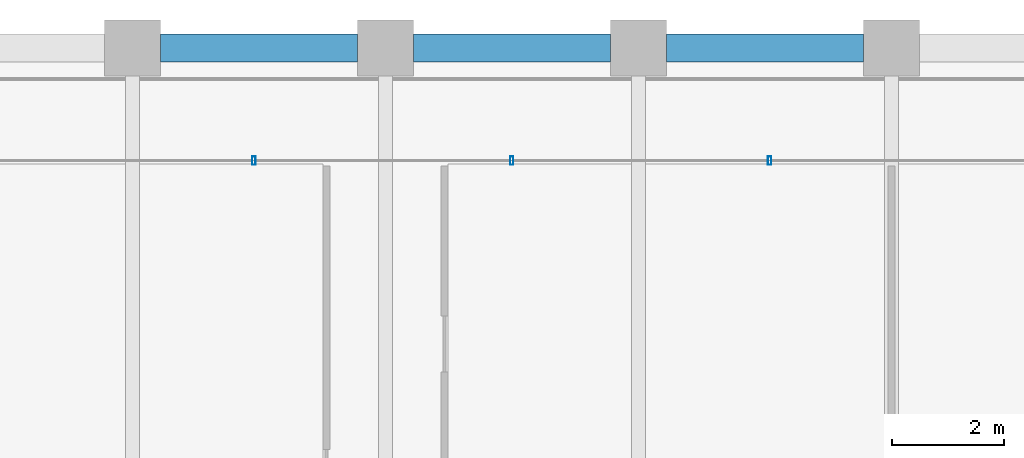
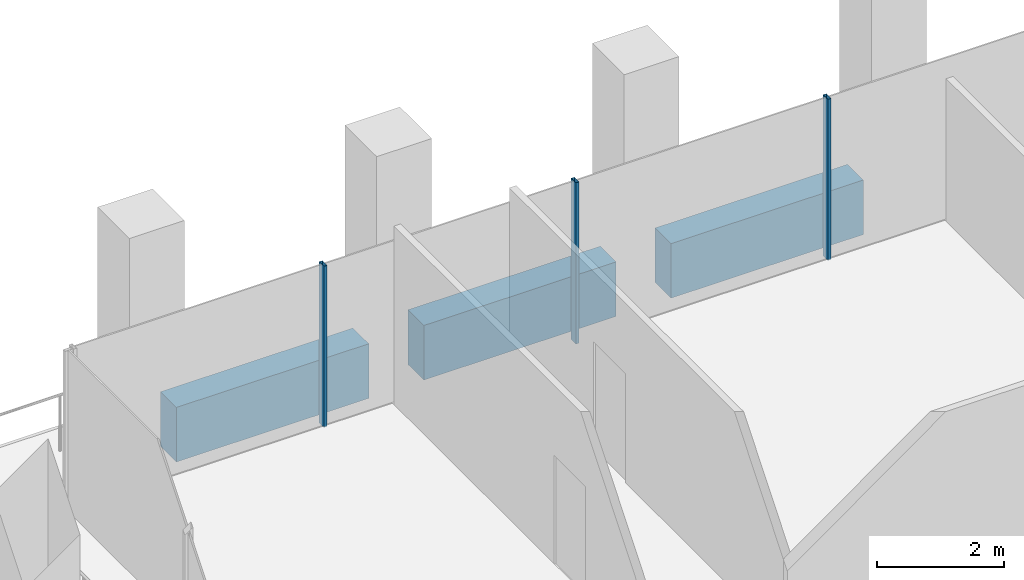
# One storey, part 23 of 46: 3 beams, 3 members, 1 element without a shape of its own.
"""IFC4 building model written with IfcOpenShell, lengths in metres."""

from ifc_helpers import new_model, si_unit, direction, frame, origin, origin_2d, place, context, subcontext, project, spatial, rectangle, hollow_rectangle, extrude, material, material_profile, profile_set, type_object, element, aggregate, save


model = new_model("IFC4")

# Units and contexts
model_context = context("Model", 3, precision=1e-05, world=origin(), true_north=direction((0.0, 1.0)))
body_context = subcontext(model_context, "Body", "Model", "MODEL_VIEW")
ifc_project = project(units=[si_unit("LENGTHUNIT", "METRE"), si_unit("AREAUNIT", "SQUARE_METRE"), si_unit("VOLUMEUNIT", "CUBIC_METRE"), si_unit("PLANEANGLEUNIT", "RADIAN"), si_unit("MASSUNIT", "GRAM", prefix="KILO")], contexts=[model_context])

# Site, building, storey
site_placement = place(None, origin())
site = spatial("IfcSite", under=ifc_project, at=site_placement, CompositionType="ELEMENT")
building_placement = place(site_placement, origin())
building = spatial("IfcBuilding", under=site, at=building_placement, Name="Altepetl Exchange Towers", CompositionType="ELEMENT")
storey_placement = place(building_placement, frame((0.0, 0.0, 106.39990234375)))
storey = spatial("IfcBuildingStorey", under=building, at=storey_placement, Name="L26", CompositionType="ELEMENT", Elevation=106.39990234375)

# Curtain wall, members
ifc_material_1 = material(Name="Aluminium 6063-T6 glazing", Category="aluminium")
curtain_wall_type = type_object("IfcCurtainWallType", Name="Loggia glazing system", PredefinedType="NOTDEFINED", material=ifc_material_1)
curtain_wall_placement = place(storey_placement, origin())
curtain_wall = element("IfcCurtainWall", 1, at=curtain_wall_placement, inside=storey, type_object=curtain_wall_type, Name="CW1 run", PredefinedType="NOTDEFINED")
ifc_material_2 = material(Name="Aluminium 6063-T6", Category="aluminium")
ifc_material_profile_1 = material_profile(ifc_material_2, hollow_rectangle(XDim=0.06005859375, YDim=0.14990234375, WallThickness=0.0029296875, at=origin_2d()), Name="Mullion 60x150 aluminium")
ifc_profile_set_1 = profile_set([ifc_material_profile_1], Name="Aluminium 6063-T6")
member_type = type_object("IfcMemberType", Name="Mullion 60x150 aluminium", PredefinedType="MULLION", material=ifc_profile_set_1)
member_1_placement = place(storey_placement, frame((56.330078125, 70.0, 0.0), z_axis=(0.0, 0.0, 1.0), x_axis=(-1.0, 0.0, 0.0)))
member_1 = element("IfcMember", 2, at=member_1_placement, type_object=member_type, Name="MU1 mullion", PredefinedType="MULLION", context=body_context, shape_type="SweptSolid", body=[
    extrude(hollow_rectangle(XDim=0.06005859375, YDim=0.14990234375, WallThickness=0.0029296875, at=origin_2d()), origin(), (0.0, 0.0, 1.0), 3.10009765625),
])
member_2_placement = place(storey_placement, frame((51.7451171875, 70.0, 0.0), z_axis=(0.0, 0.0, 1.0), x_axis=(-1.0, 0.0, 0.0)))
member_2 = element("IfcMember", 3, at=member_2_placement, type_object=member_type, Name="MU1 mullion", PredefinedType="MULLION", context=body_context, shape_type="SweptSolid", body=[
    extrude(hollow_rectangle(XDim=0.06005859375, YDim=0.14990234375, WallThickness=0.0029296875, at=origin_2d()), origin(), (0.0, 0.0, 1.0), 3.10009765625),
])
member_3_placement = place(storey_placement, frame((47.159912109375, 70.0, 0.0), z_axis=(0.0, 0.0, 1.0), x_axis=(-1.0, 0.0, 0.0)))
member_3 = element("IfcMember", 4, at=member_3_placement, type_object=member_type, Name="MU1 mullion", PredefinedType="MULLION", context=body_context, shape_type="SweptSolid", body=[
    extrude(hollow_rectangle(XDim=0.06005859375, YDim=0.14990234375, WallThickness=0.0029296875, at=origin_2d()), origin(), (0.0, 0.0, 1.0), 3.10009765625),
])
aggregate(curtain_wall, [member_1, member_2, member_3])

# Beams
ifc_material_3 = material(Name="Concrete C50/60 precast with cantera rosa facing", Category="concrete")
ifc_material_profile_2 = material_profile(ifc_material_3, rectangle(XDim=0.5, YDim=1.050048828125, at=origin_2d()), Name="500 x 1050")
ifc_profile_set_2 = profile_set([ifc_material_profile_2], Name="Concrete C50/60 precast with cantera rosa facing")
beam_type = type_object("IfcBeamType", Name="Spandrel beam 500x1050 cantera rosa", PredefinedType="SPANDREL", material=ifc_profile_set_2)
for number, where, z_axis, x_axis, name in (
    (5, (58.0, 72.0, -0.6748046875), (-1.0, 0.0, 0.0), (0.0, -1.0, 0.0), "sp:A:L26:026"),
    (6, (53.5, 72.0, -0.6748046875), (-1.0, 0.0, 0.0), (0.0, -1.0, 0.0), "sp:A:L26:027"),
    (7, (49.0, 72.0, -0.6748046875), (-1.0, 0.0, 0.0), (0.0, -1.0, 0.0), "sp:A:L26:028"),
):
    element("IfcBeam", number, at=place(storey_placement, frame(where, z_axis=z_axis, x_axis=x_axis)), inside=storey, type_object=beam_type, Name=name, PredefinedType="SPANDREL", context=body_context, shape_type="SweptSolid", body=[
        extrude(rectangle(XDim=0.5, YDim=1.050048828125, at=origin_2d()), origin(), (0.0, 0.0, 1.0), 3.5),
    ])

save(model, "model.ifc")
